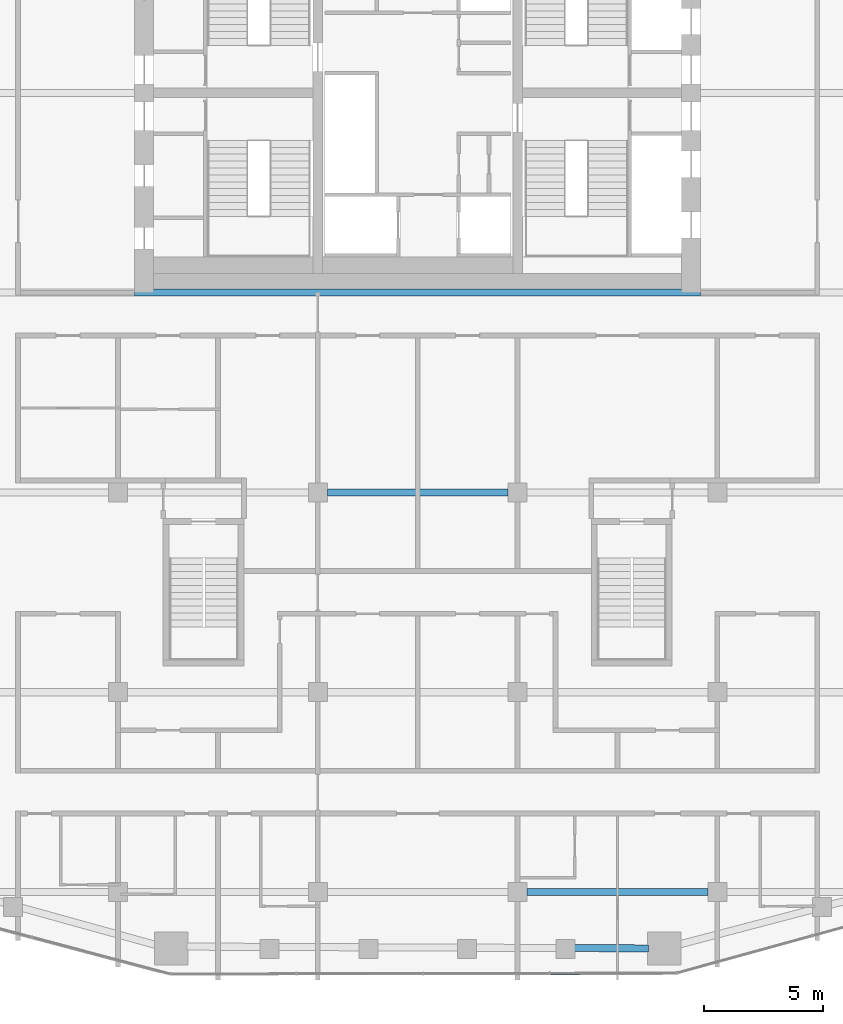
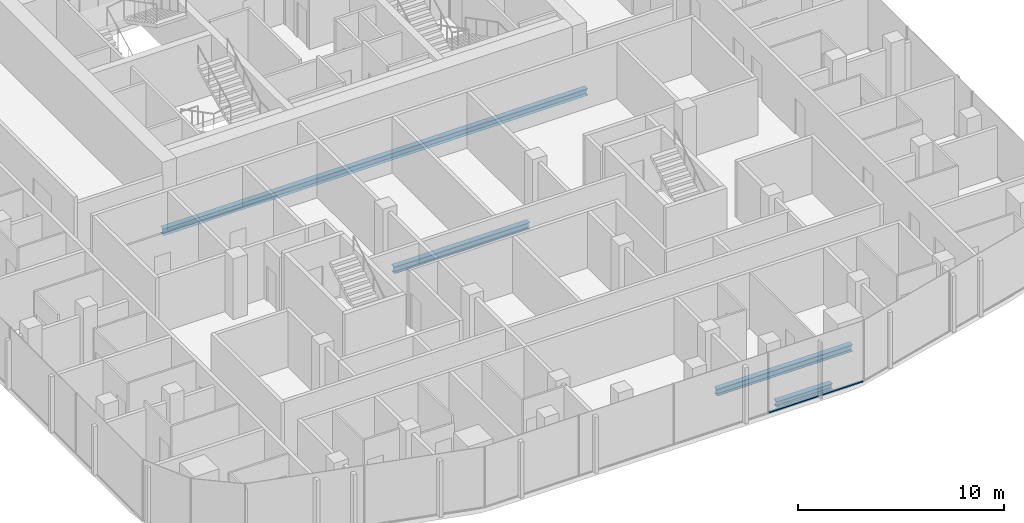
# One storey, part 5 of 22: 4 beams, 1 member, 1 element without a shape of its own.
"""IFC4 building model written with IfcOpenShell, lengths in metres."""

from ifc_helpers import new_model, si_unit, direction, frame, origin, origin_2d, place, context, subcontext, project, spatial, rectangle, i_section, extrude, material, layer, layer_set, material_profile, profile_set, type_object, element, aggregate, save


model = new_model("IFC4")

# Units and contexts
model_context = context("Model", 3, precision=1e-05, world=origin(), true_north=direction((0.0, 1.0)))
body_context = subcontext(model_context, "Body", "Model", "MODEL_VIEW")
ifc_project = project(units=[si_unit("LENGTHUNIT", "METRE"), si_unit("AREAUNIT", "SQUARE_METRE"), si_unit("VOLUMEUNIT", "CUBIC_METRE"), si_unit("PLANEANGLEUNIT", "RADIAN"), si_unit("MASSUNIT", "GRAM", prefix="KILO")], contexts=[model_context])

# Site, building, storey
site_placement = place(None, origin())
site = spatial("IfcSite", under=ifc_project, at=site_placement, CompositionType="ELEMENT")
building_placement = place(site_placement, origin())
building = spatial("IfcBuilding", under=site, at=building_placement, Name="Marenta Gate Hotel Tower", CompositionType="ELEMENT")
storey_placement = place(building_placement, frame((0.0, 0.0, 194.89990234375)))
storey = spatial("IfcBuildingStorey", under=building, at=storey_placement, Name="L44", CompositionType="ELEMENT", Elevation=194.89990234375)

# Beams
ifc_material_1 = material(Name="Steel S355", Category="steel")
ifc_material_profile_1 = material_profile(ifc_material_1, i_section(OverallWidth=0.300048828125, OverallDepth=0.340087890625, WebThickness=0.011962890625, FlangeThickness=0.021484375, FilletRadius=0.027099609375, at=origin_2d()), Name="HEB 340")
ifc_profile_set_1 = profile_set([ifc_material_profile_1], Name="Steel S355")
beam_type_1 = type_object("IfcBeamType", Name="Edge beam HEB 340", PredefinedType="SPANDREL", material=ifc_profile_set_1)
beam_1_placement = place(storey_placement, frame((9.706298828125, -27.570068359375, -0.429931640625), z_axis=(-0.999992678531, 0.003826602206, 0.0), x_axis=(-0.003826602206, -0.999992678531, 0.0)))
element("IfcBeam", 1, at=beam_1_placement, inside=storey, type_object=beam_type_1, Name="L44-EB-32", PredefinedType="SPANDREL", context=body_context, shape_type="SweptSolid", body=[
    extrude(i_section(OverallWidth=0.300048828125, OverallDepth=0.340087890625, WebThickness=0.011962890625, FlangeThickness=0.021484375, FilletRadius=0.027099609375, at=origin_2d()), origin(), (0.0, 0.0, 1.0), 3.126220703125),
])
ifc_material_2 = material(Name="Steel S355", Category="steel")
ifc_material_profile_2 = material_profile(ifc_material_2, i_section(OverallWidth=0.300048828125, OverallDepth=0.39990234375, WebThickness=0.013427734375, FlangeThickness=0.02392578125, FilletRadius=0.027099609375, at=origin_2d()), Name="HEB 400")
ifc_profile_set_2 = profile_set([ifc_material_profile_2], Name="Steel S355")
beam_type_2 = type_object("IfcBeamType", Name="Girder HEB 400", PredefinedType="BEAM", material=ifc_profile_set_2)
beam_2_placement = place(storey_placement, frame((4.60009765625, -25.199951171875, -0.4599609375), z_axis=(1.0, 0.0, 0.0), x_axis=(0.0, 1.0, 0.0)))
element("IfcBeam", 2, at=beam_2_placement, inside=storey, type_object=beam_type_2, Name="L44-GD-4", PredefinedType="BEAM", context=body_context, shape_type="SweptSolid", body=[
    extrude(i_section(OverallWidth=0.300048828125, OverallDepth=0.39990234375, WebThickness=0.013427734375, FlangeThickness=0.02392578125, FilletRadius=0.027099609375, at=origin_2d()), origin(), (0.0, 0.0, 1.0), 7.599853515625),
])
beam_3_placement = place(storey_placement, frame((-3.800048828125, -8.39990234375, -0.4599609375), z_axis=(1.0, 0.0, 0.0), x_axis=(0.0, 1.0, 0.0)))
element("IfcBeam", 3, at=beam_3_placement, inside=storey, type_object=beam_type_2, Name="L44-GD-16", PredefinedType="BEAM", context=body_context, shape_type="SweptSolid", body=[
    extrude(i_section(OverallWidth=0.300048828125, OverallDepth=0.39990234375, WebThickness=0.013427734375, FlangeThickness=0.02392578125, FilletRadius=0.027099609375, at=origin_2d()), origin(), (0.0, 0.0, 1.0), 7.60009765625),
])
beam_4_placement = place(storey_placement, frame((-11.89990234375, 0.0, -0.4599609375), z_axis=(1.0, 0.0, 0.0), x_axis=(0.0, 1.0, 0.0)))
element("IfcBeam", 4, at=beam_4_placement, inside=storey, type_object=beam_type_2, Name="L44-GD-22", PredefinedType="BEAM", context=body_context, shape_type="SweptSolid", body=[
    extrude(i_section(OverallWidth=0.300048828125, OverallDepth=0.39990234375, WebThickness=0.013427734375, FlangeThickness=0.02392578125, FilletRadius=0.027099609375, at=origin_2d()), origin(), (0.0, 0.0, 1.0), 23.7998046875),
])

# Curtain wall, member
ifc_material_3 = material(Name="Tinted insulated glass in bronze anodised frame", Category="glass")
ifc_layer = layer(ifc_material_3, 0.1201171875)
ifc_layer_set = layer_set([ifc_layer], Name="Tinted insulated glass in bronze anodised frame")
curtain_wall_type = type_object("IfcCurtainWallType", Name="Tower unitised curtain wall CW1", PredefinedType="NOTDEFINED", material=ifc_layer_set)
curtain_wall_placement = place(storey_placement, origin())
curtain_wall = element("IfcCurtainWall", 5, at=curtain_wall_placement, inside=storey, type_object=curtain_wall_type, Name="CW1 run G07", PredefinedType="NOTDEFINED")
ifc_material_4 = material(Name="Bronze anodised aluminium", Category="aluminium")
ifc_material_profile_3 = material_profile(ifc_material_4, rectangle(XDim=0.1201171875, YDim=0.06005859375, at=origin_2d()), Name="Transom CW1 60x120 bronze anodised aluminium")
ifc_profile_set_3 = profile_set([ifc_material_profile_3], Name="Bronze anodised aluminium")
member_type = type_object("IfcMemberType", Name="Transom CW1 60x120 bronze anodised aluminium", PredefinedType="USERDEFINED", material=ifc_profile_set_3)
member_placement = place(storey_placement, frame((5.583740234375, -28.62109375, 0.030029296875), z_axis=(0.999998695429, 0.001615283106, 0.0), x_axis=(-0.001615283106, 0.999998695429, 0.0)))
member = element("IfcMember", 6, at=member_placement, type_object=member_type, Name="CW1 transom 4.1", ObjectType="TRANSOM", PredefinedType="USERDEFINED", context=body_context, shape_type="SweptSolid", body=[
    extrude(rectangle(XDim=0.1201171875, YDim=0.06005859375, at=origin_2d()), origin(), (0.0, 0.0, 1.0), 5.2900390625),
])
aggregate(curtain_wall, [member])

save(model, "model.ifc")
